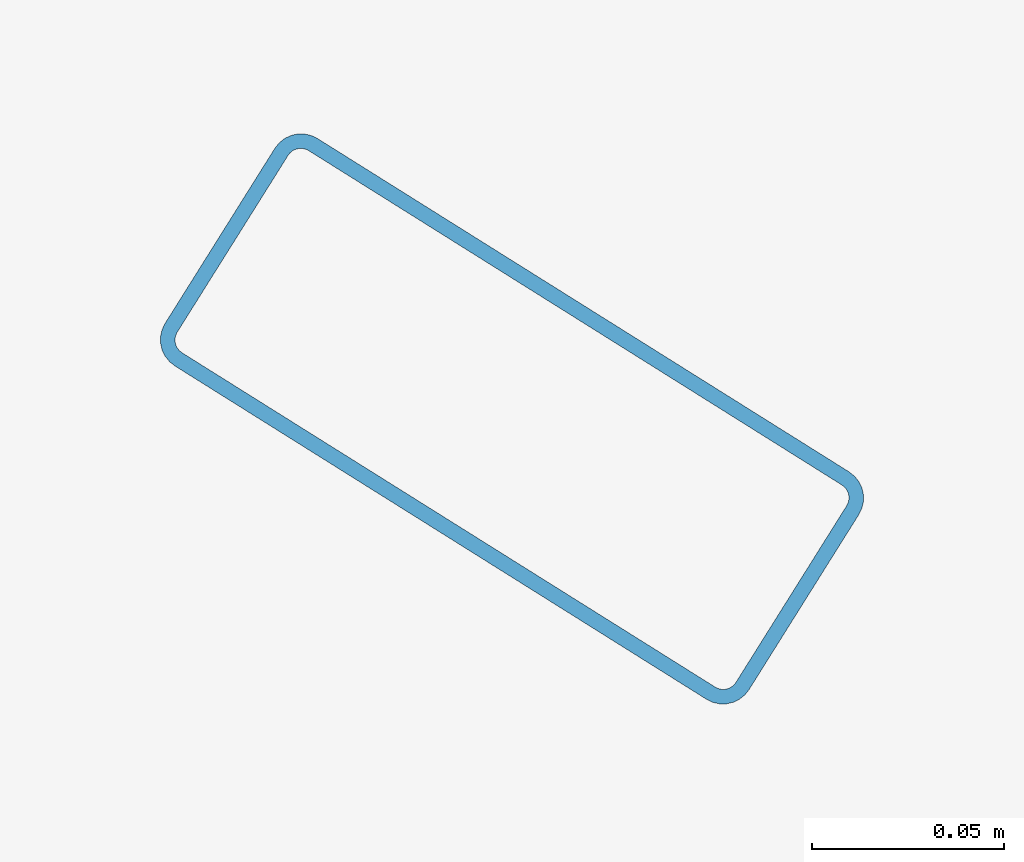
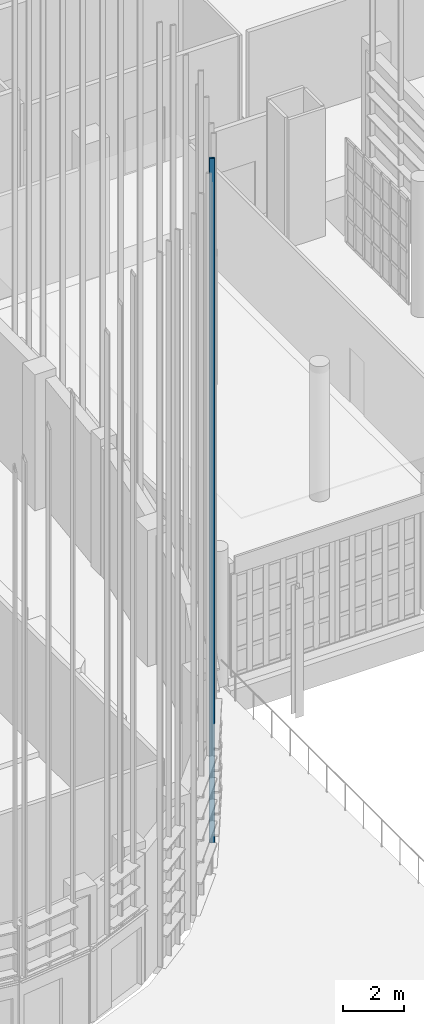
# One storey, part 60 of 372: 1 member.
"""IFC4 building model written with IfcOpenShell, lengths in metres."""

from ifc_helpers import new_model, si_unit, direction, frame, origin, origin_2d, place, context, subcontext, project, spatial, hollow_rectangle, extrude, material, material_profile, profile_set, type_object, element, save


model = new_model("IFC4")

# Units and contexts
model_context = context("Model", 3, precision=1e-05, world=origin(), true_north=direction((0.0, 1.0)))
body_context = subcontext(model_context, "Body", "Model", "MODEL_VIEW")
ifc_project = project(units=[si_unit("LENGTHUNIT", "METRE"), si_unit("AREAUNIT", "SQUARE_METRE"), si_unit("VOLUMEUNIT", "CUBIC_METRE"), si_unit("PLANEANGLEUNIT", "RADIAN"), si_unit("MASSUNIT", "GRAM", prefix="KILO")], contexts=[model_context])

# Site, building, storey
site_placement = place(None, origin())
site = spatial("IfcSite", under=ifc_project, at=site_placement, CompositionType="ELEMENT")
building_placement = place(site_placement, origin())
building = spatial("IfcBuilding", under=site, at=building_placement, Name="Kaelora Sail Theatre", CompositionType="ELEMENT")
storey_placement = place(building_placement, origin())
storey = spatial("IfcBuildingStorey", under=building, at=storey_placement, Name="L00", CompositionType="ELEMENT", Elevation=0.0)

# Member
ifc_material = material(Name="Anodised aluminium 6063-T6", Category="aluminium")
ifc_material_profile = material_profile(ifc_material, hollow_rectangle(XDim=0.070068359375, YDim=0.179931640625, WallThickness=0.00390625, InnerFilletRadius=0.00390625, OuterFilletRadius=0.008056640625, at=origin_2d()), Name="ALU-MULL 70x180x4")
ifc_profile_set = profile_set([ifc_material_profile], Name="Anodised aluminium 6063-T6")
member_type = type_object("IfcMemberType", Name="ARC-MEM-PST-160", PredefinedType="POST", material=ifc_profile_set)
member_placement = place(storey_placement, frame((53.481689453125, 30.93017578125, 0.0), z_axis=(0.0, 0.0, 1.0), x_axis=(-0.531250720758, -0.847214655028, 0.0)))
element("IfcMember", 1, at=member_placement, inside=storey, type_object=member_type, Name="Main Theatre Sail Drum solar louvre vertical support post C7-2", PredefinedType="POST", context=body_context, shape_type="SweptSolid", body=[
    extrude(hollow_rectangle(XDim=0.070068359375, YDim=0.179931640625, WallThickness=0.00390625, InnerFilletRadius=0.00390625, OuterFilletRadius=0.008056640625, at=origin_2d()), origin(), (0.0, 0.0, 1.0), 27.179443359375),
])

save(model, "model.ifc")
